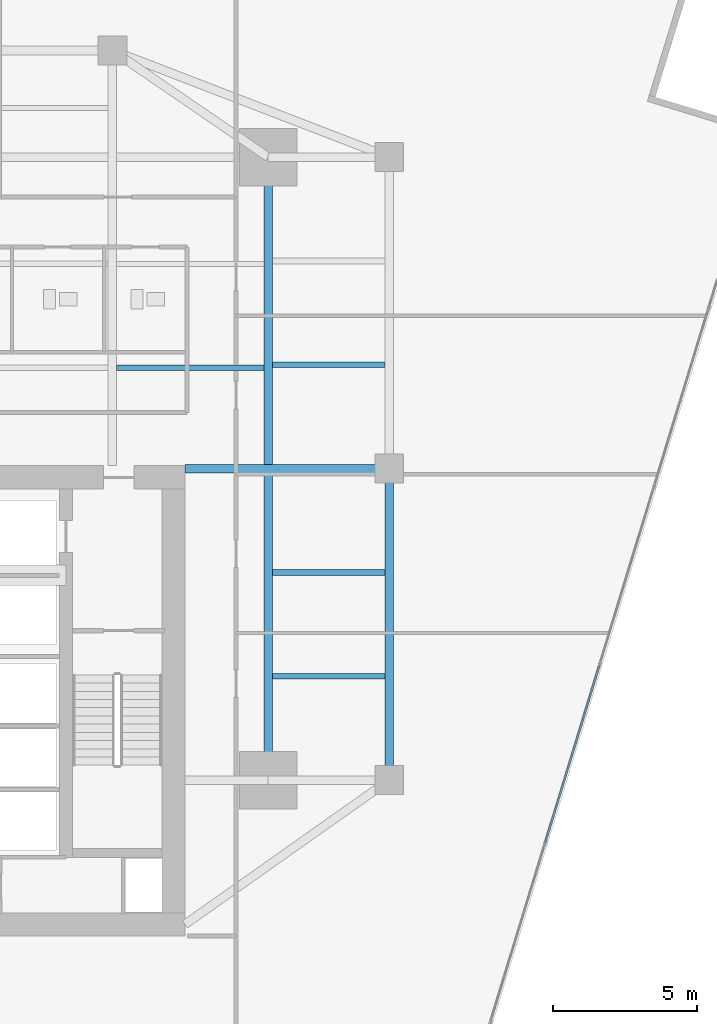
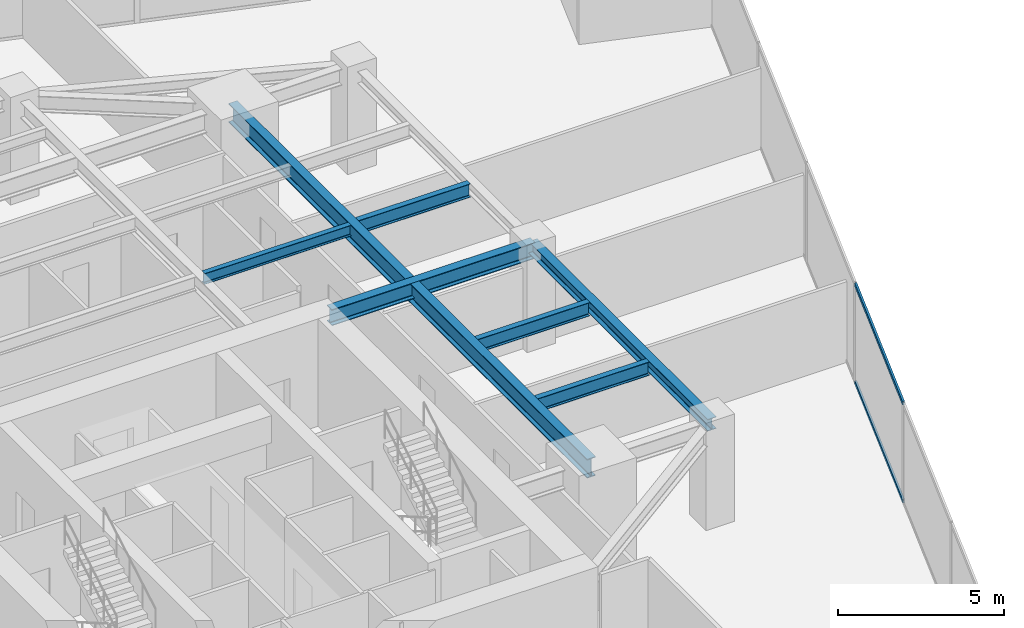
# One storey, part 11 of 26: 7 beams, 2 members, 1 element without a shape of its own.
"""IFC4 building model written with IfcOpenShell, lengths in metres."""

from ifc_helpers import new_model, si_unit, direction, frame, origin, origin_2d, place, context, subcontext, project, spatial, hollow_rectangle, i_section, extrude, source, transform, mapped, material, material_profile, profile_set, type_object, type_shapes, element, aggregate, save


model = new_model("IFC4")

# Units and contexts
model_context = context("Model", 3, precision=1e-05, world=origin(), true_north=direction((0.0, 1.0)))
body_context = subcontext(model_context, "Body", "Model", "MODEL_VIEW")
ifc_project = project(units=[si_unit("LENGTHUNIT", "METRE"), si_unit("AREAUNIT", "SQUARE_METRE"), si_unit("VOLUMEUNIT", "CUBIC_METRE"), si_unit("PLANEANGLEUNIT", "RADIAN"), si_unit("MASSUNIT", "GRAM", prefix="KILO")], contexts=[model_context])

# Site, building, storey
site_placement = place(None, origin())
site = spatial("IfcSite", under=ifc_project, at=site_placement, CompositionType="ELEMENT")
building_placement = place(site_placement, origin())
building = spatial("IfcBuilding", under=site, at=building_placement, Name="Krantzveldt Concourse Tower", CompositionType="ELEMENT")
storey_placement = place(building_placement, frame((0.0, 0.0, 109.800048828125)))
storey = spatial("IfcBuildingStorey", under=building, at=storey_placement, Name="L26", CompositionType="ELEMENT", Elevation=109.800048828125)

# Beams
ifc_material_1 = material(Name="Steel S355J2", Category="steel")
ifc_material_profile_1 = material_profile(ifc_material_1, i_section(OverallWidth=0.300048828125, OverallDepth=0.699951171875, WebThickness=0.01708984375, FlangeThickness=0.031982421875, FilletRadius=0.027099609375, at=origin_2d()), Name="Steel S355J2", Category="steel")
ifc_profile_set_1 = profile_set([ifc_material_profile_1], Name="Steel S355J2 - HEB 700")
beam_type_1 = type_object("IfcBeamType", Name="BM-B-HEB700", PredefinedType="BEAM", material=ifc_profile_set_1)
shared_shape_1 = source(origin(), body_context, "Body", "SweptSolid", [
    extrude(i_section(OverallWidth=0.300048828125, OverallDepth=0.699951171875, WebThickness=0.01708984375, FlangeThickness=0.031982421875, FilletRadius=0.027099609375, at=origin_2d()), origin(), (0.0, 0.0, 1.0), 21.60009765625),
])
type_shapes(beam_type_1, [shared_shape_1])
beam_1_placement = place(storey_placement, frame((46.800048828125, 15.89990234375, 3.320068359375), z_axis=(0.0, 1.0, 0.0), x_axis=(-1.0, 0.0, 0.0)))
element("IfcBeam", 1, at=beam_1_placement, inside=storey, type_object=beam_type_1, Name="L26 Tower Girder BG-ME", PredefinedType="BEAM", context=body_context, shape_type="MappedRepresentation", body=[
    mapped(shared_shape_1, transform((0.0, 0.0, 0.0), x_axis=(1.0, 0.0, 0.0), y_axis=(0.0, 1.0, 0.0), z_axis=(0.0, 0.0, 1.0), scale=1.0)),
])
ifc_material_2 = material(Name="Steel S355JR", Category="steel")
ifc_material_profile_2 = material_profile(ifc_material_2, i_section(OverallWidth=0.300048828125, OverallDepth=0.590087890625, WebThickness=0.012939453125, FlangeThickness=0.02490234375, FilletRadius=0.027099609375, at=origin_2d()), Name="Steel S355JR", Category="steel")
ifc_profile_set_2 = profile_set([ifc_material_profile_2], Name="Steel S355JR - HEA 600")
beam_type_2 = type_object("IfcBeamType", Name="BM-B-HEA600", PredefinedType="BEAM", material=ifc_profile_set_2)
shared_shape_2 = source(origin(), body_context, "Body", "SweptSolid", [
    extrude(i_section(OverallWidth=0.300048828125, OverallDepth=0.590087890625, WebThickness=0.012939453125, FlangeThickness=0.02490234375, FilletRadius=0.027099609375, at=origin_2d()), origin(), (0.0, 0.0, 1.0), 7.080078125),
])
type_shapes(beam_type_2, [shared_shape_2])
beam_2_placement = place(storey_placement, frame((43.919921875, 26.699951171875, 3.375), z_axis=(1.0, 0.0, 0.0), x_axis=(0.0, 1.0, 0.0)))
element("IfcBeam", 2, at=beam_2_placement, inside=storey, type_object=beam_type_2, Name="L26 Tower Girder BG-CE2", PredefinedType="BEAM", context=body_context, shape_type="MappedRepresentation", body=[
    mapped(shared_shape_2, transform((0.0, 0.0, 0.0), x_axis=(1.0, 0.0, 0.0), y_axis=(0.0, 1.0, 0.0), z_axis=(0.0, 0.0, 1.0), scale=1.0)),
])
ifc_material_profile_3 = material_profile(ifc_material_2, i_section(OverallWidth=0.300048828125, OverallDepth=0.43994140625, WebThickness=0.011474609375, FlangeThickness=0.02099609375, FilletRadius=0.027099609375, at=origin_2d()), Name="Steel S355JR", Category="steel")
ifc_profile_set_3 = profile_set([ifc_material_profile_3], Name="Steel S355JR - HEA 450")
beam_type_3 = type_object("IfcBeamType", Name="BM-SP-HEA450", PredefinedType="SPANDREL", material=ifc_profile_set_3)
shared_shape_3 = source(origin(), body_context, "Body", "SweptSolid", [
    extrude(i_section(OverallWidth=0.300048828125, OverallDepth=0.43994140625, WebThickness=0.011474609375, FlangeThickness=0.02099609375, FilletRadius=0.027099609375, at=origin_2d()), origin(), (0.0, 0.0, 1.0), 10.800048828125),
])
type_shapes(beam_type_3, [shared_shape_3])
beam_3_placement = place(storey_placement, frame((51.0, 26.699951171875, 3.449951171875), z_axis=(0.0, -1.0, 0.0), x_axis=(1.0, 0.0, 0.0)))
element("IfcBeam", 3, at=beam_3_placement, inside=storey, type_object=beam_type_3, Name="L26 Tower Girder SP-R07", PredefinedType="SPANDREL", context=body_context, shape_type="MappedRepresentation", body=[
    mapped(shared_shape_3, transform((0.0, 0.0, 0.0), x_axis=(1.0, 0.0, 0.0), y_axis=(0.0, 1.0, 0.0), z_axis=(0.0, 0.0, 1.0), scale=1.0)),
])
ifc_material_profile_4 = material_profile(ifc_material_2, i_section(OverallWidth=0.179931640625, OverallDepth=0.39990234375, WebThickness=0.008544921875, FlangeThickness=0.013427734375, FilletRadius=0.02099609375, at=origin_2d()), Name="Steel S355JR", Category="steel")
ifc_profile_set_4 = profile_set([ifc_material_profile_4], Name="Steel S355JR - IPE 400")
beam_type_4 = type_object("IfcBeamType", Name="BM-J-IPE400", PredefinedType="JOIST", material=ifc_profile_set_4)
shared_shape_4 = source(origin(), body_context, "Body", "SweptSolid", [
    extrude(i_section(OverallWidth=0.179931640625, OverallDepth=0.39990234375, WebThickness=0.008544921875, FlangeThickness=0.013427734375, FilletRadius=0.02099609375, at=origin_2d()), origin(), (0.0, 0.0, 1.0), 5.099853515625),
])
type_shapes(beam_type_4, [shared_shape_4])
beam_4_placement = place(storey_placement, frame((41.550048828125, 30.199951171875, 3.469970703125), z_axis=(1.0, 0.0, 0.0), x_axis=(0.0, 1.0, 0.0)))
element("IfcBeam", 4, at=beam_4_placement, inside=storey, type_object=beam_type_4, Name="L26 Secondary Floor Joist JN-E1", PredefinedType="JOIST", context=body_context, shape_type="MappedRepresentation", body=[
    mapped(shared_shape_4, transform((0.0, 0.0, 0.0), x_axis=(1.0, 0.0, 0.0), y_axis=(0.0, 1.0, 0.0), z_axis=(0.0, 0.0, 1.0), scale=1.0)),
])
ifc_material_profile_5 = material_profile(ifc_material_2, i_section(OverallWidth=0.199951171875, OverallDepth=0.5, WebThickness=0.01025390625, FlangeThickness=0.01611328125, FilletRadius=0.02099609375, at=origin_2d()), Name="Steel S355JR", Category="steel")
ifc_profile_set_5 = profile_set([ifc_material_profile_5], Name="Steel S355JR - IPE 500")
beam_type_5 = type_object("IfcBeamType", Name="BM-J-IPE500", PredefinedType="JOIST", material=ifc_profile_set_5)
shared_shape_5 = source(origin(), body_context, "Body", "SweptSolid", [
    extrude(i_section(OverallWidth=0.199951171875, OverallDepth=0.5, WebThickness=0.01025390625, FlangeThickness=0.01611328125, FilletRadius=0.02099609375, at=origin_2d()), origin(), (0.0, 0.0, 1.0), 3.900146484375),
])
type_shapes(beam_type_5, [shared_shape_5])
for number, where, z_axis, x_axis, name in (
    (5, (46.949951171875, 19.5, 3.419921875), (1.0, 0.0, 0.0), (0.0, 1.0, 0.0), "L26 Secondary Floor Joist JE-1"),
    (6, (46.949951171875, 23.10009765625, 3.419921875), (1.0, 0.0, 0.0), (0.0, 1.0, 0.0), "L26 Secondary Floor Joist JE-2"),
    (7, (46.949951171875, 30.300048828125, 3.419921875), (1.0, 0.0, 0.0), (0.0, 1.0, 0.0), "L26 Secondary Floor Joist JE-3"),
):
    element("IfcBeam", number, at=place(storey_placement, frame(where, z_axis=z_axis, x_axis=x_axis)), inside=storey, type_object=beam_type_5, Name=name, PredefinedType="JOIST", context=body_context, shape_type="MappedRepresentation", body=[
        mapped(shared_shape_5, transform((0.0, 0.0, 0.0), x_axis=(1.0, 0.0, 0.0), y_axis=(0.0, 1.0, 0.0), z_axis=(0.0, 0.0, 1.0), scale=1.0)),
    ])

# Curtain wall, members
ifc_material_3 = material(Name="Anodised aluminium 6063-T6", Category="aluminium")
curtain_wall_type = type_object("IfcCurtainWallType", Name="CW2", PredefinedType="USERDEFINED", material=ifc_material_3)
curtain_wall_placement = place(storey_placement, origin())
curtain_wall = element("IfcCurtainWall", 8, at=curtain_wall_placement, inside=storey, type_object=curtain_wall_type, Name="CW-L26-F07", ObjectType="UNITISED CURTAIN WALL", PredefinedType="USERDEFINED")
ifc_material_profile_6 = material_profile(ifc_material_3, hollow_rectangle(XDim=0.070068359375, YDim=0.139892578125, WallThickness=0.0048828125, at=origin_2d()), Name="Anodised aluminium 6063-T6", Category="aluminium")
ifc_profile_set_6 = profile_set([ifc_material_profile_6], Name="Anodised aluminium 6063-T6 - ALU-TRAN 140x70x5")
member_type = type_object("IfcMemberType", Name="CW-TRN-150", PredefinedType="USERDEFINED", material=ifc_profile_set_6)
shared_shape_6 = source(origin(), body_context, "Body", "SweptSolid", [
    extrude(hollow_rectangle(XDim=0.070068359375, YDim=0.139892578125, WallThickness=0.0048828125, at=origin_2d()), origin(), (0.0, 0.0, 1.0), 6.396728515625),
])
type_shapes(member_type, [shared_shape_6])
member_1_placement = place(storey_placement, frame((56.4111328125, 13.734130859375, 0.034912109375), z_axis=(0.292358163404, 0.956308895855, 0.0), x_axis=(-0.956308895855, 0.292358163404, 0.0)))
member_1 = element("IfcMember", 9, at=member_1_placement, type_object=member_type, Name="CW-Z12 transom 3.1", ObjectType="TRANSOM", PredefinedType="USERDEFINED", context=body_context, shape_type="MappedRepresentation", body=[
    mapped(shared_shape_6, transform((0.0, 0.0, 0.0), x_axis=(1.0, 0.0, 0.0), y_axis=(0.0, 1.0, 0.0), z_axis=(0.0, 0.0, 1.0), scale=1.0)),
])
member_2_placement = place(storey_placement, frame((56.4111328125, 13.734130859375, 3.635009765625), z_axis=(0.292358163404, 0.956308895855, 0.0), x_axis=(-0.956308895855, 0.292358163404, 0.0)))
member_2 = element("IfcMember", 10, at=member_2_placement, type_object=member_type, Name="CW-Z12 transom 3.2", ObjectType="TRANSOM", PredefinedType="USERDEFINED", context=body_context, shape_type="MappedRepresentation", body=[
    mapped(shared_shape_6, transform((0.0, 0.0, 0.0), x_axis=(1.0, 0.0, 0.0), y_axis=(0.0, 1.0, 0.0), z_axis=(0.0, 0.0, 1.0), scale=1.0)),
])
aggregate(curtain_wall, [member_1, member_2])

save(model, "model.ifc")
